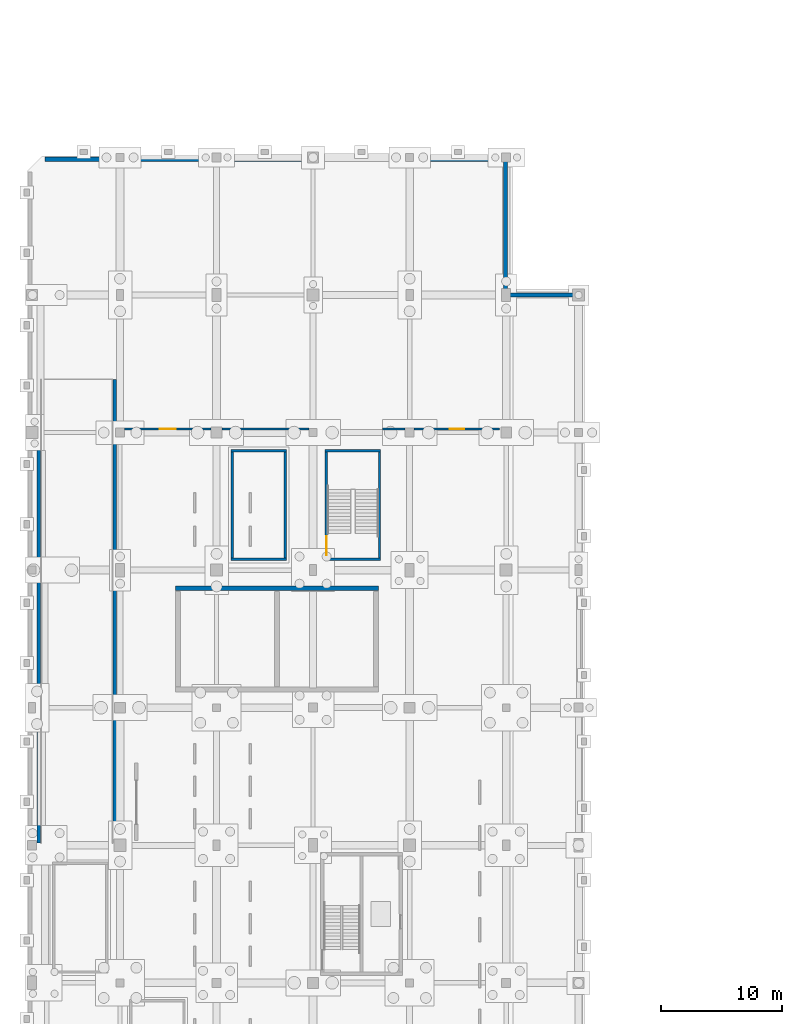
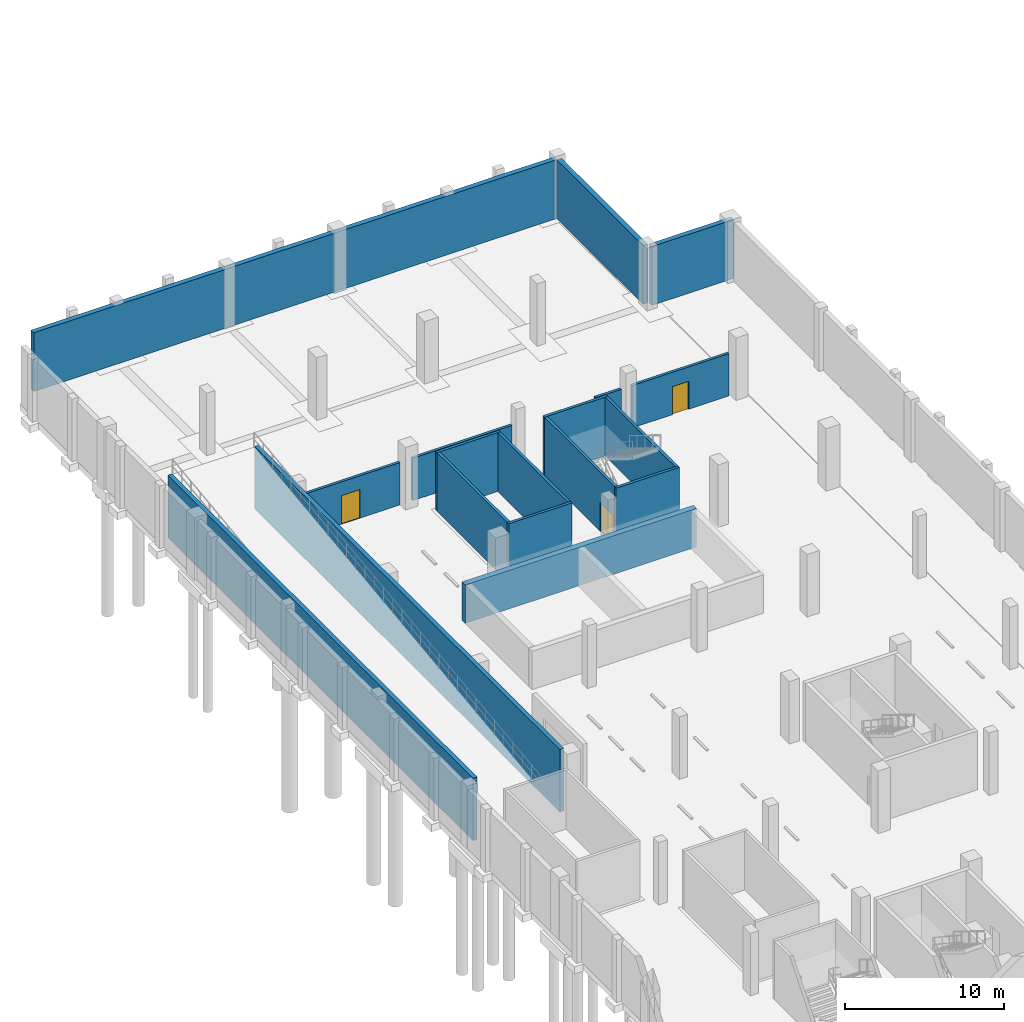
# One storey, part 26 of 34: 18 walls, 3 doors, 3 openings.
"""IFC4 building model written with IfcOpenShell, lengths in metres."""

from ifc_helpers import new_model, si_unit, direction, frame, frame_2d, origin, place, context, subcontext, project, spatial, rectangle, extrude, material, layer, layer_set, type_object, element, fill, save


model = new_model("IFC4")

# Units and contexts
model_context = context("Model", 3, precision=1e-05, world=origin(), true_north=direction((0.0, 1.0)))
body_context = subcontext(model_context, "Body", "Model", "MODEL_VIEW")
ifc_project = project(units=[si_unit("LENGTHUNIT", "METRE"), si_unit("AREAUNIT", "SQUARE_METRE"), si_unit("VOLUMEUNIT", "CUBIC_METRE"), si_unit("PLANEANGLEUNIT", "RADIAN"), si_unit("MASSUNIT", "GRAM", prefix="KILO"), si_unit("POWERUNIT", "WATT"), si_unit("THERMODYNAMICTEMPERATUREUNIT", "KELVIN")], contexts=[model_context])

# Site, building, storey
site_placement = place(None, origin())
site = spatial("IfcSite", under=ifc_project, at=site_placement, CompositionType="ELEMENT")
building_placement = place(site_placement, origin())
building = spatial("IfcBuilding", under=site, at=building_placement, Name="Kelmbourne Parkland Aquatics Centre", CompositionType="ELEMENT")
storey_placement = place(building_placement, frame((0.0, 0.0, -4.800048828125)))
storey = spatial("IfcBuildingStorey", under=building, at=storey_placement, Name="B1", CompositionType="ELEMENT", Elevation=-4.800048828125)

# Walls
ifc_material_1 = material(Name="Concrete C40/50", Category="concrete")
ifc_layer_1 = layer(ifc_material_1, 0.300048828125)
ifc_layer_set_1 = layer_set([ifc_layer_1], Name="Concrete C40/50")
wall_type_1 = type_object("IfcWallType", Name="W-CORE-300", PredefinedType="SHEAR", material=ifc_layer_set_1)
for number, where, z_axis, x_axis, name in (
    (1, (1.25, 46.60009765625, 0.0), (0.0, 0.0, 1.0), (0.0, 1.0, 0.0), "Vehicle ramp B1 west wall"),
    (2, (7.550048828125, 46.60009765625, 0.0), (0.0, 0.0, 1.0), (0.0, 1.0, 0.0), "Vehicle ramp B1 east wall"),
):
    element("IfcWall", number, at=place(storey_placement, frame(where, z_axis=z_axis, x_axis=x_axis)), inside=storey, type_object=wall_type_1, Name=name, PredefinedType="SHEAR", context=body_context, shape_type="SweptSolid", body=[
        extrude(rectangle(XDim=38.39990234375, YDim=0.300048828125, at=frame_2d((19.199951171875, 0.0))), origin(), (0.0, 0.0, 1.0), 4.800048828125),
    ])
ifc_material_2 = material(Name="Concrete blockwork C32/40", Category="masonry")
ifc_layer_2 = layer(ifc_material_2, 0.199951171875)
ifc_layer_set_2 = layer_set([ifc_layer_2], Name="Concrete blockwork C32/40")
wall_type_2 = type_object("IfcWallType", Name="W-FIRE-200", PredefinedType="SOLIDWALL", material=ifc_layer_set_2)
for number, where, z_axis, x_axis, name in (
    (3, (25.0, 70.10009765625, 0.0), (0.0, 0.0, 1.0), (1.0, 0.0, 0.0), "West North Prow Exit Stair south enclosure (B1)"),
    (4, (25.0, 79.10009765625, 0.0), (0.0, 0.0, 1.0), (1.0, 0.0, 0.0), "West North Prow Exit Stair north enclosure (B1)"),
):
    element("IfcWall", number, at=place(storey_placement, frame(where, z_axis=z_axis, x_axis=x_axis)), inside=storey, type_object=wall_type_2, Name=name, PredefinedType="SOLIDWALL", context=body_context, shape_type="SweptSolid", body=[
        extrude(rectangle(XDim=4.60009765625, YDim=0.199951171875, at=frame_2d((2.300048828125, 0.0))), origin(), (0.0, 0.0, 1.0), 4.52001953125),
    ])

# Wall, opening, door
wall_1_placement = place(storey_placement, frame((25.10009765625, 70.199951171875, 0.0), z_axis=(0.0, 0.0, 1.0), x_axis=(0.0, 1.0, 0.0)))
wall_1 = element("IfcWall", 5, at=wall_1_placement, inside=storey, type_object=wall_type_2, Name="West North Prow Exit Stair west enclosure (B1)", PredefinedType="SOLIDWALL", context=body_context, shape_type="SweptSolid", body=[
    extrude(rectangle(XDim=8.800048828125, YDim=0.199951171875, at=frame_2d((4.39990234375, 0.0))), origin(), (0.0, 0.0, 1.0), 4.52001953125),
])
opening_1_placement = place(wall_1_placement, frame((0.219970703125, 0.0, 0.0)))
opening_1 = element("IfcOpeningElement", 6, at=opening_1_placement, cuts=wall_1, Name="Opening FD02", PredefinedType="OPENING", context=body_context, shape_type="SweptSolid", body=[
    extrude(rectangle(XDim=1.60009765625, YDim=2.199951171875, at=frame_2d((0.800048828125, 1.10009765625))), frame((0.0, 0.11181640625, 0.0), z_axis=(0.0, -1.0, 0.0), x_axis=(1.0, 0.0, 0.0)), (0.0, 0.0, 1.0), 0.223876953125),
])
ifc_material_3 = material(Name="Marine-grade stainless steel and fire-rated hardwood doorset", Category="steel")
ifc_layer_3 = layer(ifc_material_3, 0.050048828125)
ifc_layer_set_3 = layer_set([ifc_layer_3], Name="Marine-grade stainless steel and fire-rated hardwood doorset")
door_type_1 = type_object("IfcDoorType", Name="DR-FD-160", OperationType="NOTDEFINED", PredefinedType="DOOR", material=ifc_layer_set_3)
door_1_placement = place(opening_1_placement, origin())
door_1 = element("IfcDoor", 7, at=door_1_placement, inside=storey, type_object=door_type_1, Name="Exit stair fire door ST12 (B1)", OperationType="DOUBLE_DOOR_SINGLE_SWING", OverallHeight=2.199951171875, OverallWidth=1.60009765625, PredefinedType="DOOR", context=body_context, shape_type="SweptSolid", body=[
    extrude(rectangle(XDim=1.60009765625, YDim=2.199951171875, at=frame_2d((0.800048828125, 1.10009765625))), frame((0.0, 0.02490234375, 0.0), z_axis=(0.0, -1.0, 0.0), x_axis=(1.0, 0.0, 0.0)), (0.0, 0.0, 1.0), 0.050048828125),
])
fill(opening_1, door_1)

# Walls
wall_2_placement = place(storey_placement, frame((29.5, 70.199951171875, 0.0), z_axis=(0.0, 0.0, 1.0), x_axis=(0.0, 1.0, 0.0)))
element("IfcWall", 8, at=wall_2_placement, inside=storey, type_object=wall_type_2, Name="West North Prow Exit Stair east enclosure (B1)", PredefinedType="SOLIDWALL", context=body_context, shape_type="SweptSolid", body=[
    extrude(rectangle(XDim=8.800048828125, YDim=0.199951171875, at=frame_2d((4.39990234375, 0.0))), origin(), (0.0, 0.0, 1.0), 4.52001953125),
])
for number, where, z_axis, x_axis, name in (
    (9, (17.199951171875, 70.10009765625, 0.0), (0.0, 0.0, 1.0), (1.0, 0.0, 0.0), "West Mid-Wing Exit Stair substructure wall S"),
    (10, (17.199951171875, 79.10009765625, 0.0), (0.0, 0.0, 1.0), (1.0, 0.0, 0.0), "West Mid-Wing Exit Stair substructure wall N"),
):
    element("IfcWall", number, at=place(storey_placement, frame(where, z_axis=z_axis, x_axis=x_axis)), inside=storey, type_object=wall_type_2, Name=name, PredefinedType="SOLIDWALL", context=body_context, shape_type="SweptSolid", body=[
        extrude(rectangle(XDim=4.60009765625, YDim=0.199951171875, at=frame_2d((2.300048828125, 0.0))), origin(), (0.0, 0.0, 1.0), 4.52001953125),
    ])
for number, where, z_axis, x_axis, name in (
    (11, (17.300048828125, 70.199951171875, 0.0), (0.0, 0.0, 1.0), (0.0, 1.0, 0.0), "West Mid-Wing Exit Stair substructure wall W"),
    (12, (21.699951171875, 70.199951171875, 0.0), (0.0, 0.0, 1.0), (0.0, 1.0, 0.0), "West Mid-Wing Exit Stair substructure wall E"),
):
    element("IfcWall", number, at=place(storey_placement, frame(where, z_axis=z_axis, x_axis=x_axis)), inside=storey, type_object=wall_type_2, Name=name, PredefinedType="SOLIDWALL", context=body_context, shape_type="SweptSolid", body=[
        extrude(rectangle(XDim=8.800048828125, YDim=0.199951171875, at=frame_2d((4.39990234375, 0.0))), origin(), (0.0, 0.0, 1.0), 4.52001953125),
    ])
ifc_layer_4 = layer(ifc_material_1, 0.35009765625)
ifc_layer_set_4 = layer_set([ifc_layer_4], Name="Concrete C40/50")
wall_type_3 = type_object("IfcWallType", Name="W-RET-350", PredefinedType="SHEAR", material=ifc_layer_set_4)
wall_3_placement = place(storey_placement, frame((1.800048828125, 103.25, 0.0), z_axis=(0.0, 0.0, 1.0), x_axis=(1.0, 0.0, 0.0)))
element("IfcWall", 13, at=wall_3_placement, inside=storey, type_object=wall_type_3, Name="Basement retaining wall RET-N1", PredefinedType="SHEAR", context=body_context, shape_type="SweptSolid", body=[
    extrude(rectangle(XDim=38.0, YDim=0.35009765625, at=frame_2d((19.0, 0.0))), origin(), (0.0, 0.0, 1.0), 4.52001953125),
])
wall_4_placement = place(storey_placement, frame((39.949951171875, 92.199951171875, 0.0), z_axis=(0.0, 0.0, 1.0), x_axis=(0.0, 1.0, 0.0)))
element("IfcWall", 14, at=wall_4_placement, inside=storey, type_object=wall_type_3, Name="Basement retaining wall RET-E5", PredefinedType="SHEAR", context=body_context, shape_type="SweptSolid", body=[
    extrude(rectangle(XDim=10.900146484375, YDim=0.35009765625, at=frame_2d((5.4501953125, 0.0))), origin(), (0.0, 0.0, 1.0), 4.52001953125),
])
wall_5_placement = place(storey_placement, frame((40.199951171875, 92.0, 0.0), z_axis=(0.0, 0.0, 1.0), x_axis=(1.0, 0.0, 0.0)))
element("IfcWall", 15, at=wall_5_placement, inside=storey, type_object=wall_type_3, Name="Basement retaining wall RET-V6WN", PredefinedType="SHEAR", context=body_context, shape_type="SweptSolid", body=[
    extrude(rectangle(XDim=5.949951171875, YDim=0.35009765625, at=frame_2d((2.97509765625, 0.0))), origin(), (0.0, 0.0, 1.0), 4.52001953125),
])

# Wall, opening, door
ifc_layer_5 = layer(ifc_material_2, 0.18994140625)
ifc_layer_set_5 = layer_set([ifc_layer_5], Name="Concrete blockwork C32/40")
wall_type_4 = type_object("IfcWallType", Name="W-SOLID-190", PredefinedType="SOLIDWALL", material=ifc_layer_set_5)
wall_6_placement = place(storey_placement, frame((8.376953125, 80.89990234375, 0.0), z_axis=(0.0, 0.0, 1.0), x_axis=(1.0, 0.0, 0.0)))
wall_6 = element("IfcWall", 16, at=wall_6_placement, inside=storey, type_object=wall_type_4, Name="Interior partition PT-B1-004", PredefinedType="SOLIDWALL", context=body_context, shape_type="SweptSolid", body=[
    extrude(rectangle(XDim=7.171142578125, YDim=0.18994140625, at=frame_2d((3.58544921875, 0.0))), origin(), (0.0, 0.0, 1.0), 3.255126953125),
])
opening_2_placement = place(wall_6_placement, frame((2.910400390625, 0.0, 0.0)))
opening_2 = element("IfcOpeningElement", 17, at=opening_2_placement, cuts=wall_6, Name="Opening ID08", PredefinedType="OPENING", context=body_context, shape_type="SweptSolid", body=[
    extrude(rectangle(XDim=1.35009765625, YDim=2.199951171875, at=frame_2d((0.675048828125, 1.10009765625))), frame((0.0, 0.10693359375, 0.0), z_axis=(0.0, -1.0, 0.0), x_axis=(1.0, 0.0, 0.0)), (0.0, 0.0, 1.0), 0.2138671875),
])
ifc_material_4 = material(Name="Marine-grade stainless steel and solid-core hardwood doorset", Category="timber")
ifc_layer_6 = layer(ifc_material_4, 0.050048828125)
ifc_layer_set_6 = layer_set([ifc_layer_6], Name="Marine-grade stainless steel and solid-core hardwood doorset")
door_type_2 = type_object("IfcDoorType", Name="DR-INT-135", OperationType="NOTDEFINED", PredefinedType="DOOR", material=ifc_layer_set_6)
door_2_placement = place(opening_2_placement, origin())
door_2 = element("IfcDoor", 18, at=door_2_placement, inside=storey, type_object=door_type_2, Name="Interior door ID08 (B1-004)", OperationType="DOUBLE_DOOR_SINGLE_SWING", OverallHeight=2.199951171875, OverallWidth=1.35009765625, PredefinedType="DOOR", context=body_context, shape_type="SweptSolid", body=[
    extrude(rectangle(XDim=1.35009765625, YDim=2.199951171875, at=frame_2d((0.675048828125, 1.10009765625))), frame((0.0, 0.02490234375, 0.0), z_axis=(0.0, -1.0, 0.0), x_axis=(1.0, 0.0, 0.0)), (0.0, 0.0, 1.0), 0.050048828125),
])
fill(opening_2, door_2)

# Walls
wall_7_placement = place(storey_placement, frame((16.451904296875, 80.89990234375, 0.0), z_axis=(0.0, 0.0, 1.0), x_axis=(1.0, 0.0, 0.0)))
element("IfcWall", 19, at=wall_7_placement, inside=storey, type_object=wall_type_4, Name="Interior partition PT-B1-005", PredefinedType="SOLIDWALL", context=body_context, shape_type="SweptSolid", body=[
    extrude(rectangle(XDim=7.22119140625, YDim=0.18994140625, at=frame_2d((3.610595703125, 0.0))), origin(), (0.0, 0.0, 1.0), 3.255126953125),
])
wall_8_placement = place(storey_placement, frame((29.75, 80.89990234375, 0.0), z_axis=(0.0, 0.0, 1.0), x_axis=(1.0, 0.0, 0.0)))
element("IfcWall", 20, at=wall_8_placement, inside=storey, type_object=wall_type_4, Name="Interior partition PT-B1-006", PredefinedType="SOLIDWALL", context=body_context, shape_type="SweptSolid", body=[
    extrude(rectangle(XDim=1.873046875, YDim=0.18994140625, at=frame_2d((0.9365234375, 0.0))), origin(), (0.0, 0.0, 1.0), 3.255126953125),
])

# Wall, opening, door
wall_9_placement = place(storey_placement, frame((32.376953125, 80.89990234375, 0.0), z_axis=(0.0, 0.0, 1.0), x_axis=(1.0, 0.0, 0.0)))
wall_9 = element("IfcWall", 21, at=wall_9_placement, inside=storey, type_object=wall_type_4, Name="Interior partition PT-B1-007", PredefinedType="SOLIDWALL", context=body_context, shape_type="SweptSolid", body=[
    extrude(rectangle(XDim=7.072998046875, YDim=0.18994140625, at=frame_2d((3.53662109375, 0.0))), origin(), (0.0, 0.0, 1.0), 3.255126953125),
])
opening_3_placement = place(wall_9_placement, frame((2.9365234375, 0.0, 0.0)))
opening_3 = element("IfcOpeningElement", 22, at=opening_3_placement, cuts=wall_9, Name="Opening ID03", PredefinedType="OPENING", context=body_context, shape_type="SweptSolid", body=[
    extrude(rectangle(XDim=1.199951171875, YDim=2.14990234375, at=frame_2d((0.60009765625, 1.074951171875))), frame((0.0, 0.10693359375, 0.0), z_axis=(0.0, -1.0, 0.0), x_axis=(1.0, 0.0, 0.0)), (0.0, 0.0, 1.0), 0.2138671875),
])
ifc_layer_7 = layer(ifc_material_4, 0.050048828125)
ifc_layer_set_7 = layer_set([ifc_layer_7], Name="Marine-grade stainless steel and solid-core hardwood doorset")
door_type_3 = type_object("IfcDoorType", Name="DR-INT-120", OperationType="NOTDEFINED", PredefinedType="DOOR", material=ifc_layer_set_7)
door_3_placement = place(opening_3_placement, origin())
door_3 = element("IfcDoor", 23, at=door_3_placement, inside=storey, type_object=door_type_3, Name="Interior door ID03 (B1-005)", OperationType="SINGLE_SWING_LEFT", OverallHeight=2.14990234375, OverallWidth=1.199951171875, PredefinedType="DOOR", context=body_context, shape_type="SweptSolid", body=[
    extrude(rectangle(XDim=1.199951171875, YDim=2.14990234375, at=frame_2d((0.60009765625, 1.074951171875))), frame((0.0, 0.02490234375, 0.0), z_axis=(0.0, -1.0, 0.0), x_axis=(1.0, 0.0, 0.0)), (0.0, 0.0, 1.0), 0.050048828125),
])
fill(opening_3, door_3)

# Wall
ifc_material_5 = material(Name="Waterproof concrete C50/60", Category="concrete")
ifc_layer_8 = layer(ifc_material_5, 0.39990234375)
ifc_layer_set_8 = layer_set([ifc_layer_8], Name="Waterproof concrete C50/60")
wall_type_5 = type_object("IfcWallType", Name="W-TANK-400", PredefinedType="SHEAR", material=ifc_layer_set_8)
wall_10_placement = place(storey_placement, frame((12.60009765625, 67.699951171875, 0.0), z_axis=(0.0, 0.0, 1.0), x_axis=(1.0, 0.0, 0.0)))
element("IfcWall", 24, at=wall_10_placement, inside=storey, type_object=wall_type_5, Name="Clinical Hydrotherapy and Warm Recovery Pool Tank undercroft support wall N", PredefinedType="SHEAR", context=body_context, shape_type="SweptSolid", body=[
    extrude(rectangle(XDim=16.7998046875, YDim=0.39990234375, at=frame_2d((8.39990234375, 0.0))), origin(), (0.0, 0.0, 1.0), 2.949951171875),
])

save(model, "model.ifc")
